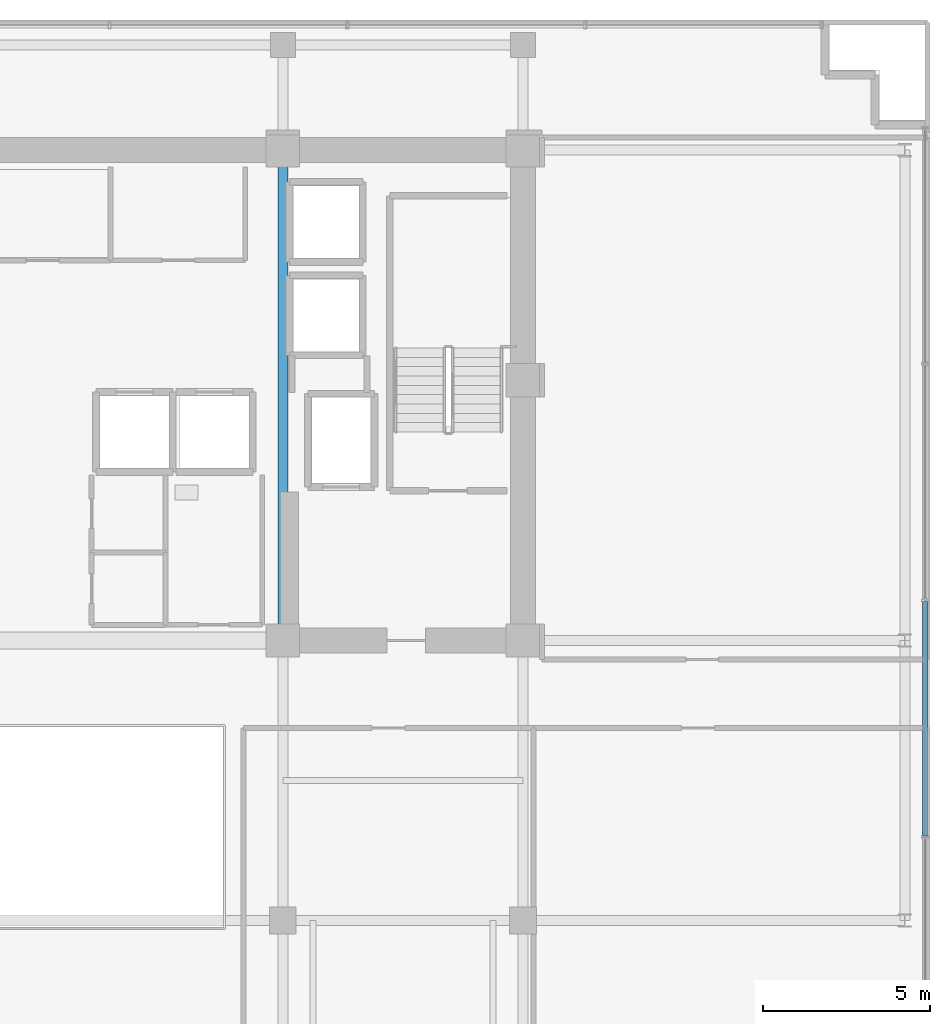
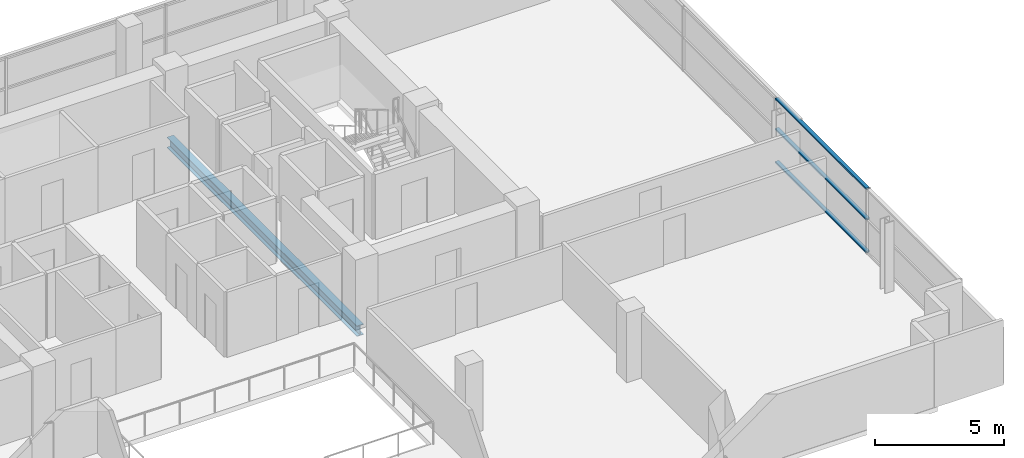
# One storey, part 8 of 22: 3 members, 1 beam, 1 element without a shape of its own.
"""IFC4 building model written with IfcOpenShell, lengths in metres."""

from ifc_helpers import new_model, si_unit, direction, frame, origin, origin_2d, place, context, subcontext, project, spatial, hollow_rectangle, i_section, extrude, source, transform, mapped, material, layer, layer_set, material_profile, profile_set, type_object, element, aggregate, save


model = new_model("IFC4")

# Units and contexts
model_context = context("Model", 3, precision=1e-05, world=origin(), true_north=direction((0.0, 1.0)))
body_context = subcontext(model_context, "Body", "Model", "MODEL_VIEW")
ifc_project = project(units=[si_unit("LENGTHUNIT", "METRE"), si_unit("AREAUNIT", "SQUARE_METRE"), si_unit("VOLUMEUNIT", "CUBIC_METRE"), si_unit("PLANEANGLEUNIT", "RADIAN"), si_unit("MASSUNIT", "GRAM", prefix="KILO")], contexts=[model_context])

# Site, building, storey
site_placement = place(None, origin())
site = spatial("IfcSite", under=ifc_project, at=site_placement, CompositionType="ELEMENT")
building_placement = place(site_placement, origin())
building = spatial("IfcBuilding", under=site, at=building_placement, Name="Zarnakvel Exchange Tower", CompositionType="ELEMENT")
storey_placement = place(building_placement, frame((0.0, 0.0, 179.199951171875)))
storey = spatial("IfcBuildingStorey", under=building, at=storey_placement, Name="L50", CompositionType="ELEMENT", Elevation=179.199951171875)

# Beam
ifc_material_1 = material(Name="Steel S355", Category="steel")
ifc_material_profile_1 = material_profile(ifc_material_1, i_section(OverallWidth=0.300048828125, OverallDepth=0.5, WebThickness=0.014404296875, FlangeThickness=0.028076171875, FilletRadius=0.027099609375, at=origin_2d()))
ifc_profile_set_1 = profile_set([ifc_material_profile_1], Name="Steel S355")
beam_type = type_object("IfcBeamType", Name="G-06", PredefinedType="BEAM", material=ifc_profile_set_1)
beam_placement = place(storey_placement, frame((7.199951171875, -1.199951171875, -0.474853515625), z_axis=(0.0, 1.0, 0.0), x_axis=(-1.0, 0.0, 0.0)))
element("IfcBeam", 1, at=beam_placement, inside=storey, type_object=beam_type, Name="L50 Tower N-S Frame Beam", PredefinedType="BEAM", context=body_context, shape_type="SweptSolid", body=[
    extrude(i_section(OverallWidth=0.300048828125, OverallDepth=0.5, WebThickness=0.014404296875, FlangeThickness=0.028076171875, FilletRadius=0.027099609375, at=origin_2d()), origin(), (0.0, 0.0, 1.0), 14.699951171875),
])

# Curtain wall, members
ifc_material_2 = material(Name="Architectural Bronze Anodised Aluminium", Category="aluminium")
ifc_layer = layer(ifc_material_2, 0.199951171875)
ifc_layer_set = layer_set([ifc_layer], Name="Architectural Bronze Anodised Aluminium")
curtain_wall_type = type_object("IfcCurtainWallType", Name="CW-04", PredefinedType="NOTDEFINED", material=ifc_layer_set)
curtain_wall_placement = place(storey_placement, origin())
curtain_wall = element("IfcCurtainWall", 2, at=curtain_wall_placement, inside=storey, type_object=curtain_wall_type, Name="L50 Curtain Wall CW-L50-E1 (CW-04)", PredefinedType="NOTDEFINED")
ifc_material_profile_2 = material_profile(ifc_material_2, hollow_rectangle(XDim=0.159912109375, YDim=0.074951171875, WallThickness=0.00390625, at=origin_2d()))
ifc_profile_set_2 = profile_set([ifc_material_profile_2], Name="Architectural Bronze Anodised Aluminium")
member_type = type_object("IfcMemberType", Name="CWT-04", PredefinedType="USERDEFINED", material=ifc_profile_set_2)
shared_shape = source(origin(), body_context, "Body", "SweptSolid", [
    extrude(hollow_rectangle(XDim=0.159912109375, YDim=0.074951171875, WallThickness=0.00390625, at=origin_2d()), origin(), (0.0, 0.0, 1.0), 7.02490234375),
])
member_1_placement = place(storey_placement, frame((26.4599609375, -7.0625, 0.03759765625), z_axis=(0.0, 1.0, 0.0), x_axis=(-1.0, 0.0, 0.0)))
member_1 = element("IfcMember", 3, at=member_1_placement, type_object=member_type, Name="CW-04 transom 2.1", ObjectType="TRANSOM", PredefinedType="USERDEFINED", context=body_context, shape_type="MappedRepresentation", body=[
    mapped(shared_shape, transform((0.0, 0.0, 0.0), x_axis=(1.0, 0.0, 0.0), y_axis=(0.0, 1.0, 0.0), z_axis=(0.0, 0.0, 1.0), scale=1.0)),
])
member_2_placement = place(storey_placement, frame((26.4599609375, -7.0625, 1.588623046875), z_axis=(0.0, 1.0, 0.0), x_axis=(-1.0, 0.0, 0.0)))
member_2 = element("IfcMember", 4, at=member_2_placement, type_object=member_type, Name="CW-04 transom 2.2", ObjectType="TRANSOM", PredefinedType="USERDEFINED", context=body_context, shape_type="MappedRepresentation", body=[
    mapped(shared_shape, transform((0.0, 0.0, 0.0), x_axis=(1.0, 0.0, 0.0), y_axis=(0.0, 1.0, 0.0), z_axis=(0.0, 0.0, 1.0), scale=1.0)),
])
member_3_placement = place(storey_placement, frame((26.4599609375, -7.0625, 3.017578125), z_axis=(0.0, 1.0, 0.0), x_axis=(-1.0, 0.0, 0.0)))
member_3 = element("IfcMember", 5, at=member_3_placement, type_object=member_type, Name="CW-04 transom 2.3", ObjectType="TRANSOM", PredefinedType="USERDEFINED", context=body_context, shape_type="MappedRepresentation", body=[
    mapped(shared_shape, transform((0.0, 0.0, 0.0), x_axis=(1.0, 0.0, 0.0), y_axis=(0.0, 1.0, 0.0), z_axis=(0.0, 0.0, 1.0), scale=1.0)),
])
aggregate(curtain_wall, [member_1, member_2, member_3])

save(model, "model.ifc")
